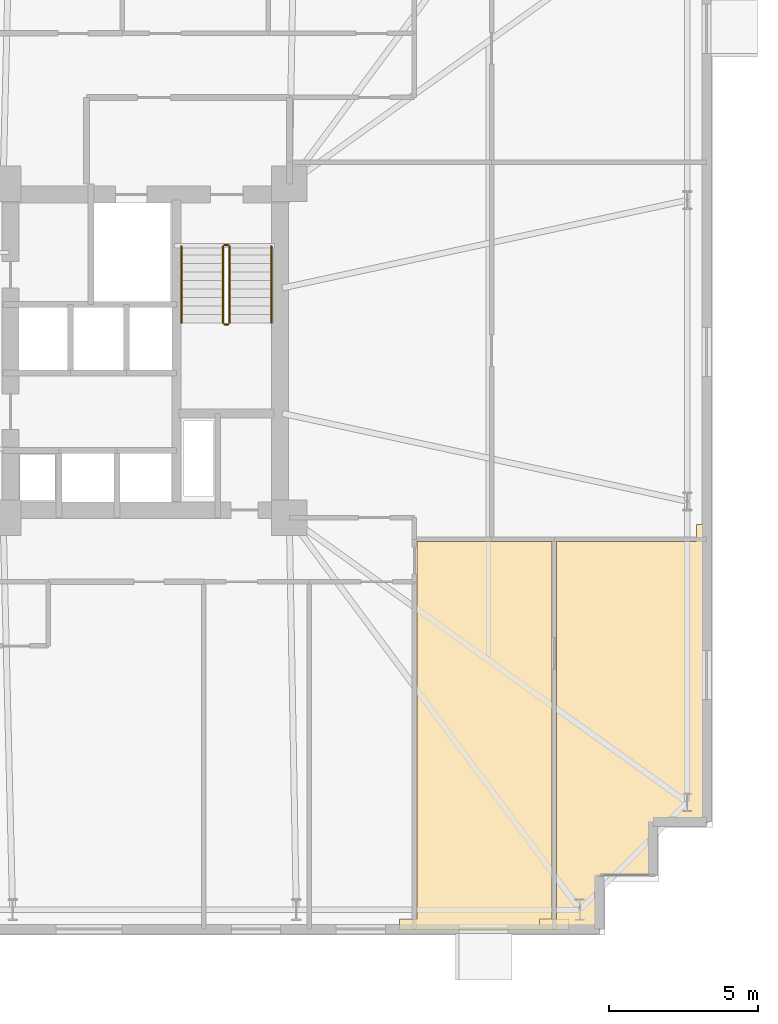
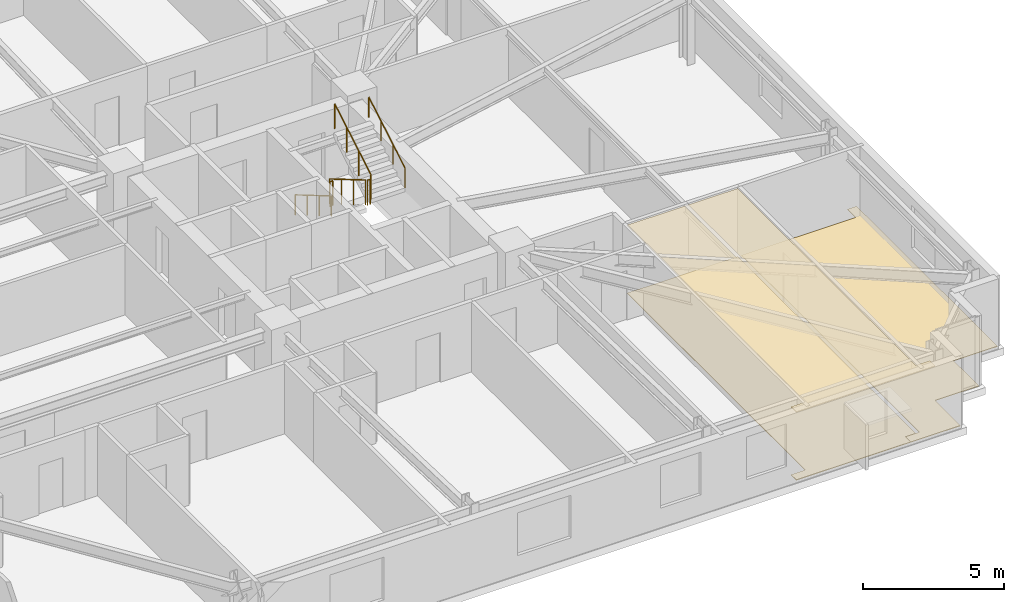
# One storey, part 21 of 21: 6 railings, 3 coverings.
"""IFC4 building model written with IfcOpenShell, lengths in metres."""

import ifcopenshell
import ifcopenshell.guid

model = None  # the IFC model being written
_history = None  # IfcOwnerHistory: only IFC2X3 demands one
_inside = {}  # id of a spatial element -> (the spatial element, [elements in it])
_under = {}  # id of a project, library or spatial element -> (it, [spatial elements below it])
_declared = {}  # id of a project -> (the project, [libraries it declares])
_typed = {}  # id of a type object -> (the type object, [elements of that type])
_made_of = {}  # id of a material, layer set ... -> (it, [elements and type objects made of it])


def new_model(schema):
    """Start an empty IFC model of exactly this schema.

    Asked for "IFC4X3", IfcOpenShell would pick the latest addendum, in which some entities
    have other attributes; the version numbers below select the first issue.
    IFC2X3 requires an IfcOwnerHistory on every rooted entity: one is made here for all.
    """
    global model, _history
    if schema == "IFC4X3":
        model = ifcopenshell.file(schema_version=(4, 3, 0, 0))
    else:
        model = ifcopenshell.file(schema=schema)
    _inside.clear()
    _under.clear()
    _declared.clear()
    _typed.clear()
    _made_of.clear()
    _history = None
    if model.schema == "IFC2X3":
        org = make("IfcOrganization", Name="unknown")
        user = make(
            "IfcPersonAndOrganization",
            ThePerson=make("IfcPerson", FamilyName="unknown"),
            TheOrganization=org,
        )
        app = make(
            "IfcApplication",
            ApplicationDeveloper=org,
            Version="unknown",
            ApplicationFullName="unknown",
            ApplicationIdentifier="unknown",
        )
        _history = make(
            "IfcOwnerHistory",
            OwningUser=user,
            OwningApplication=app,
            ChangeAction="ADDED",
            CreationDate=0,
        )
    return model


def make(cls, **values):
    """One entity of the class cls with the attributes given. An attribute that is None is left unset."""
    return model.create_entity(
        cls, **{name: value for name, value in values.items() if value is not None}
    )


def rooted(cls, **values):
    """An entity with a GlobalId (a new one), such as an element, a storey or a relation."""
    return make(cls, GlobalId=ifcopenshell.guid.new(), OwnerHistory=_history, **values)


def si_unit(unit_type, name, prefix=None):
    """IfcSIUnit, for example si_unit("LENGTHUNIT", "METRE", prefix="MILLI")."""
    return make("IfcSIUnit", UnitType=unit_type, Prefix=prefix, Name=name)


def assignment(units):
    """IfcUnitAssignment: the units of a project."""
    return None if units is None else make("IfcUnitAssignment", Units=units)


def point(xyz):
    """IfcCartesianPoint."""
    return None if xyz is None else make("IfcCartesianPoint", Coordinates=xyz)


def direction(xyz):
    """IfcDirection."""
    return None if xyz is None else make("IfcDirection", DirectionRatios=xyz)


def frame(location, z_axis=None, x_axis=None):
    """IfcAxis2Placement3D, a coordinate frame: its origin and axes. An axis left out is left unset."""
    return make(
        "IfcAxis2Placement3D",
        Location=point(location),
        Axis=direction(z_axis),
        RefDirection=direction(x_axis),
    )


def frame_2d(location, x_axis=None):
    """IfcAxis2Placement2D, a coordinate frame in the plane: its origin and x axis."""
    return make(
        "IfcAxis2Placement2D", Location=point(location), RefDirection=direction(x_axis)
    )


def origin():
    """The frame at (0, 0, 0) with its axes left unset."""
    return frame((0.0, 0.0, 0.0))


def origin_2d():
    """The frame at (0, 0) in the plane with its x axis left unset."""
    return frame_2d((0.0, 0.0))


def place(relative_to, where):
    """IfcLocalPlacement: puts the frame where relative to a parent placement (None: the world)."""
    return make(
        "IfcLocalPlacement", PlacementRelTo=relative_to, RelativePlacement=where
    )


def context(
    kind, dimensions, precision=None, world=None, true_north=None, identifier=None
):
    """IfcGeometricRepresentationContext, for example the 3D "Model" context."""
    return make(
        "IfcGeometricRepresentationContext",
        ContextIdentifier=identifier,
        ContextType=kind,
        CoordinateSpaceDimension=dimensions,
        Precision=precision,
        WorldCoordinateSystem=world,
        TrueNorth=true_north,
    )


def subcontext(parent, identifier, kind, view, scale=None):
    """IfcGeometricRepresentationSubContext, for example "Body" below "Model"."""
    return make(
        "IfcGeometricRepresentationSubContext",
        ContextIdentifier=identifier,
        ContextType=kind,
        ParentContext=parent,
        TargetScale=scale,
        TargetView=view,
    )


def project(units=None, contexts=None):
    """IfcProject with its units and contexts."""
    return rooted(
        "IfcProject",
        Name="project",
        RepresentationContexts=contexts,
        UnitsInContext=assignment(units),
    )


def spatial(cls, under=None, at=None, **own):
    """A site, building, storey or space (cls), placed at a placement, below another one or the project."""
    s = rooted(cls, ObjectPlacement=at, **own)
    if under is not None:
        _under.setdefault(under.id(), (under, []))[1].append(s)
    return s


def polyline(points):
    """IfcPolyline through the points."""
    return make("IfcPolyline", Points=[point(p) for p in points])


def profile(cls, at=None, kind="AREA", **sizes):
    """A parametric profile (cls). Its sizes go by their IFC names, for example OverallWidth=200.0."""
    return make(cls, ProfileType=kind, Position=at, **sizes)


def circle(**sizes):
    """IfcCircleProfileDef."""
    return profile("IfcCircleProfileDef", **sizes)


def outline(outer, holes=None, kind="AREA"):
    """IfcArbitraryClosedProfileDef: a profile drawn as a closed curve; with holes, ...WithVoids."""
    if holes is None:
        return make("IfcArbitraryClosedProfileDef", ProfileType=kind, OuterCurve=outer)
    return make(
        "IfcArbitraryProfileDefWithVoids",
        ProfileType=kind,
        OuterCurve=outer,
        InnerCurves=holes,
    )


def extrude(swept, where, along, depth):
    """IfcExtrudedAreaSolid: the profile swept, set in the frame where, extruded along a direction by depth."""
    return make(
        "IfcExtrudedAreaSolid",
        SweptArea=swept,
        Position=where,
        ExtrudedDirection=direction(along),
        Depth=depth,
    )


def shape(context_of_items, identifier, shape_type, items):
    """IfcShapeRepresentation: the items that make up one representation, for example the "Body"."""
    return make(
        "IfcShapeRepresentation",
        ContextOfItems=context_of_items,
        RepresentationIdentifier=identifier,
        RepresentationType=shape_type,
        Items=items,
    )


def material(Name=None, Category=None):
    """IfcMaterial."""
    return make("IfcMaterial", Name=Name, Category=Category)


def layer(
    of_material, thickness, ventilated=None, Name=None, Category=None, Priority=None
):
    """IfcMaterialLayer: one layer of a wall or slab, of a material (None: an air gap)."""
    return make(
        "IfcMaterialLayer",
        Material=of_material,
        LayerThickness=thickness,
        IsVentilated=ventilated,
        Name=Name,
        Category=Category,
        Priority=Priority,
    )


def layer_set(layers, Name=None):
    """IfcMaterialLayerSet."""
    return make("IfcMaterialLayerSet", MaterialLayers=layers, LayerSetName=Name)


def made_of(thing, what):
    """Note that an element or type object is made of a material, layer set ...; save() writes the relation."""
    if what is not None:
        _made_of.setdefault(what.id(), (what, []))[1].append(thing)
    return thing


def type_object(cls, material=None, **own):
    """A type object (cls), such as IfcWallType, which elements share."""
    return made_of(rooted(cls, **own), material)


def element(
    cls,
    number,
    at=None,
    inside=None,
    cuts=None,
    type_object=None,
    material=None,
    context=None,
    identifier="Body",
    shape_type=None,
    held_by="IfcProductDefinitionShape",
    body=None,
    shapes=None,
    **own,
):
    """One element of the class cls, such as IfcWall. Its Tag is "e" and its number.

    at: its placement. inside: the storey or other place that contains it. cuts: it is an
    opening in that element (IfcRelVoidsElement). A single representation is given by context,
    identifier, shape_type and body (its items); several are given by shapes. held_by: the class
    of the entity that holds the representations. save() writes the other relations.
    """
    e = rooted(cls, Tag="e%d" % number, ObjectPlacement=at, **own)
    if body is not None:
        shapes = [shape(context, identifier, shape_type, body)]
    if shapes is not None:
        e.Representation = make(held_by, Representations=shapes)
    if inside is not None:
        _inside.setdefault(inside.id(), (inside, []))[1].append(e)
    if cuts is not None:
        rooted(
            "IfcRelVoidsElement", RelatingBuildingElement=cuts, RelatedOpeningElement=e
        )
    if type_object is not None:
        _typed.setdefault(type_object.id(), (type_object, []))[1].append(e)
    return made_of(e, material)


def aggregate(whole, parts):
    """IfcRelAggregates: a whole, such as a stair, and the parts it consists of."""
    return rooted("IfcRelAggregates", RelatingObject=whole, RelatedObjects=parts)


def save(model, path):
    """Write the relations noted so far, then the file.

    IfcRelAggregates (storeys below a building ...), IfcRelContainedInSpatialStructure (elements
    in a storey), IfcRelDefinesByType, IfcRelAssociatesMaterial and IfcRelDeclares: one each for
    every whole, place, type object, material and project.
    """
    for whole, parts in _under.values():
        aggregate(whole, parts)
    for where, things in _inside.values():
        rooted(
            "IfcRelContainedInSpatialStructure",
            RelatedElements=things,
            RelatingStructure=where,
        )
    for kind, things in _typed.values():
        rooted("IfcRelDefinesByType", RelatedObjects=things, RelatingType=kind)
    for what, things in _made_of.values():
        rooted("IfcRelAssociatesMaterial", RelatedObjects=things, RelatingMaterial=what)
    for by, libraries in _declared.values():
        rooted("IfcRelDeclares", RelatingContext=by, RelatedDefinitions=libraries)
    model.write(path)


model = new_model("IFC4")

# Units and contexts
model_context = context("Model", 3, precision=1e-05, world=origin(), true_north=direction((0.0, 1.0)))
body_context = subcontext(model_context, "Body", "Model", "MODEL_VIEW")
ifc_project = project(units=[si_unit("LENGTHUNIT", "METRE"), si_unit("AREAUNIT", "SQUARE_METRE"), si_unit("VOLUMEUNIT", "CUBIC_METRE"), si_unit("PLANEANGLEUNIT", "RADIAN"), si_unit("MASSUNIT", "GRAM", prefix="KILO")], contexts=[model_context])

# Site, building, storey
site_placement = place(None, origin())
site = spatial("IfcSite", under=ifc_project, at=site_placement, CompositionType="ELEMENT")
building_placement = place(site_placement, origin())
building = spatial("IfcBuilding", under=site, at=building_placement, Name="Qobustan Lattice House", CompositionType="ELEMENT")
storey_placement = place(building_placement, frame((0.0, 0.0, 40.39990234375)))
storey = spatial("IfcBuildingStorey", under=building, at=storey_placement, Name="L10", CompositionType="ELEMENT", Elevation=40.39990234375)

# Coverings
ifc_material_1 = material(Name="Perforated gypsum acoustic ceiling", Category="gypsum")
ifc_layer_1 = layer(ifc_material_1, 0.030029296875)
ifc_layer_set_1 = layer_set([ifc_layer_1], Name="Perforated gypsum acoustic ceiling")
covering_type_1 = type_object("IfcCoveringType", Name="COV-ACOUSTIC-CEIL", PredefinedType="CEILING", material=ifc_layer_set_1)
covering_1_placement = place(storey_placement, frame((0.0, 0.0, 2.945068359375)))
element("IfcCovering", 1, at=covering_1_placement, inside=storey, type_object=covering_type_1, Name="L10 Focus study room E1A acoustic ceiling", PredefinedType="CEILING", context=body_context, shape_type="SweptSolid", body=[
    extrude(outline(polyline([(28.18994140625, -19.06005859375), (27.610107421875, -19.06005859375), (27.610107421875, -6.406982421875), (23.080078125, -6.406982421875), (23.080078125, -19.06005859375), (22.5, -19.06005859375), (22.5, -19.429931640625), (28.18994140625, -19.429931640625), (28.18994140625, -19.06005859375)])), origin(), (0.0, 0.0, 1.0), 0.030029296875),
])
ifc_material_2 = material(Name="Honed Absheron stone terrazzo flooring", Category="masonry")
ifc_layer_2 = layer(ifc_material_2, 0.02490234375)
ifc_layer_set_2 = layer_set([ifc_layer_2], Name="Honed Absheron stone terrazzo flooring")
covering_type_2 = type_object("IfcCoveringType", Name="COV-TERRAZZO-FLR", PredefinedType="FLOORING", material=ifc_layer_set_2)
covering_2_placement = place(storey_placement, origin())
element("IfcCovering", 2, at=covering_2_placement, inside=storey, type_object=covering_type_2, Name="L10 Focus study room E1A stone terrazzo flooring", PredefinedType="FLOORING", context=body_context, shape_type="SweptSolid", body=[
    extrude(outline(polyline([(28.18994140625, -19.06005859375), (27.610107421875, -19.06005859375), (27.610107421875, -6.406982421875), (23.080078125, -6.406982421875), (23.080078125, -19.06005859375), (22.5, -19.06005859375), (22.5, -19.429931640625), (28.18994140625, -19.429931640625), (28.18994140625, -19.06005859375)])), origin(), (0.0, 0.0, 1.0), 0.025146484375),
])
covering_3_placement = place(storey_placement, origin())
element("IfcCovering", 3, at=covering_3_placement, inside=storey, type_object=covering_type_2, Name="L10 Focus study room E1B stone terrazzo flooring", PredefinedType="FLOORING", context=body_context, shape_type="SweptSolid", body=[
    extrude(outline(polyline([(32.830078125, -15.830078125), (32.830078125, -5.826904296875), (32.4599609375, -5.826904296875), (32.4599609375, -6.406982421875), (27.77001953125, -6.406982421875), (27.77001953125, -19.06005859375), (27.18994140625, -19.06005859375), (27.18994140625, -19.429931640625), (29.22998046875, -19.429931640625), (29.22998046875, -17.6298828125), (31.030029296875, -17.6298828125), (31.030029296875, -15.830078125), (32.830078125, -15.830078125)])), origin(), (0.0, 0.0, 1.0), 0.025146484375),
])

# Railings
ifc_material_3 = material(Name="Brushed stainless steel handrail", Category="steel")
railing_type_1 = type_object("IfcRailingType", Name="RAL-HR-920", PredefinedType="HANDRAIL", material=ifc_material_3)
railing_1_placement = place(storey_placement, frame((15.179931640625, 3.5, 0.16748046875)))
element("IfcRailing", 4, at=railing_1_placement, inside=storey, type_object=railing_type_1, Name="L10 ST-E1 stair handrail 1", PredefinedType="HANDRAIL", context=body_context, shape_type="SweptSolid", body=[
    extrude(circle(Radius=0.02392578125, at=origin_2d()), frame((0.0, 0.0, 0.8759765625), z_axis=(0.0, -0.862113467892, 0.50671527358), x_axis=(1.0, 0.0, 0.0)), (0.0, 0.0, 1.0), 2.97509765625),
    extrude(circle(Radius=0.02099609375, at=origin_2d()), origin(), (0.0, 0.0, 1.0), 0.851806640625),
    extrude(circle(Radius=0.02099609375, at=origin_2d()), frame((0.0, -0.85498046875, 0.50244140625)), (0.0, 0.0, 1.0), 0.851806640625),
    extrude(circle(Radius=0.02099609375, at=origin_2d()), frame((0.0, -1.7099609375, 1.005126953125)), (0.0, 0.0, 1.0), 0.851806640625),
    extrude(circle(Radius=0.02099609375, at=origin_2d()), frame((0.0, -2.56494140625, 1.507568359375)), (0.0, 0.0, 1.0), 0.851806640625),
])
railing_2_placement = place(storey_placement, frame((18.199951171875, 0.93505859375, 1.842529296875)))
element("IfcRailing", 5, at=railing_2_placement, inside=storey, type_object=railing_type_1, Name="L10 ST-E1 stair handrail 2", PredefinedType="HANDRAIL", context=body_context, shape_type="SweptSolid", body=[
    extrude(circle(Radius=0.02392578125, at=origin_2d()), frame((0.0, 0.0, 0.8759765625), z_axis=(0.0, 0.862113467892, 0.50671527358), x_axis=(-1.0, 0.0, 0.0)), (0.0, 0.0, 1.0), 2.97509765625),
    extrude(circle(Radius=0.02099609375, at=origin_2d()), origin(), (0.0, 0.0, 1.0), 0.851806640625),
    extrude(circle(Radius=0.02099609375, at=origin_2d()), frame((0.0, 0.85498046875, 0.50244140625)), (0.0, 0.0, 1.0), 0.851806640625),
    extrude(circle(Radius=0.02099609375, at=origin_2d()), frame((0.0, 1.7099609375, 1.005126953125)), (0.0, 0.0, 1.0), 0.851806640625),
    extrude(circle(Radius=0.02099609375, at=origin_2d()), frame((0.0, 2.56494140625, 1.507568359375)), (0.0, 0.0, 1.0), 0.851806640625),
])
ifc_material_4 = material(Name="Painted galvanized steel guardrail", Category="steel")
railing_type_2 = type_object("IfcRailingType", Name="RAL-STG-1150", PredefinedType="GUARDRAIL", material=ifc_material_4)
railing_3_placement = place(storey_placement, frame((16.580078125, 3.5, 0.16748046875)))
element("IfcRailing", 6, at=railing_3_placement, inside=storey, type_object=railing_type_2, Name="L10 ST-E1 stair guard 1", PredefinedType="GUARDRAIL", context=body_context, shape_type="SweptSolid", body=[
    extrude(circle(Radius=0.02392578125, at=origin_2d()), frame((0.0, 0.0, 1.076171875), z_axis=(0.0, -0.862113467892, 0.50671527358), x_axis=(1.0, 0.0, 0.0)), (0.0, 0.0, 1.0), 2.97509765625),
    extrude(circle(Radius=0.02099609375, at=origin_2d()), origin(), (0.0, 0.0, 1.0), 1.052001953125),
    extrude(circle(Radius=0.02099609375, at=origin_2d()), frame((0.0, -0.85498046875, 0.50244140625)), (0.0, 0.0, 1.0), 1.052001953125),
    extrude(circle(Radius=0.02099609375, at=origin_2d()), frame((0.0, -1.7099609375, 1.005126953125)), (0.0, 0.0, 1.0), 1.052001953125),
    extrude(circle(Radius=0.02099609375, at=origin_2d()), frame((0.0, -2.56494140625, 1.507568359375)), (0.0, 0.0, 1.0), 1.052001953125),
])
railing_4_placement = place(storey_placement, frame((16.6298828125, 0.885009765625, 1.675048828125)))
element("IfcRailing", 7, at=railing_4_placement, inside=storey, type_object=railing_type_2, Name="L10 ST-E1 stair guard 2", PredefinedType="GUARDRAIL", context=body_context, shape_type="SweptSolid", body=[
    extrude(circle(Radius=0.02392578125, at=origin_2d()), frame((0.0, 0.0, 1.076171875), z_axis=(1.0, 0.0, 0.0), x_axis=(0.0, 1.0, 0.0)), (0.0, 0.0, 1.0), 0.1201171875),
    extrude(circle(Radius=0.02099609375, at=origin_2d()), origin(), (0.0, 0.0, 1.0), 1.052001953125),
    extrude(circle(Radius=0.02099609375, at=origin_2d()), frame((0.1201171875, 0.0, 0.0)), (0.0, 0.0, 1.0), 1.052001953125),
])
railing_5_placement = place(storey_placement, frame((16.800048828125, 0.93505859375, 1.842529296875)))
element("IfcRailing", 8, at=railing_5_placement, inside=storey, type_object=railing_type_2, Name="L10 ST-E1 stair guard 3", PredefinedType="GUARDRAIL", context=body_context, shape_type="SweptSolid", body=[
    extrude(circle(Radius=0.02392578125, at=origin_2d()), frame((0.0, 0.0, 1.076171875), z_axis=(0.0, 0.862113467892, 0.50671527358), x_axis=(-1.0, 0.0, 0.0)), (0.0, 0.0, 1.0), 2.97509765625),
    extrude(circle(Radius=0.02099609375, at=origin_2d()), origin(), (0.0, 0.0, 1.0), 1.052001953125),
    extrude(circle(Radius=0.02099609375, at=origin_2d()), frame((0.0, 0.85498046875, 0.50244140625)), (0.0, 0.0, 1.0), 1.052001953125),
    extrude(circle(Radius=0.02099609375, at=origin_2d()), frame((0.0, 1.7099609375, 1.005126953125)), (0.0, 0.0, 1.0), 1.052001953125),
    extrude(circle(Radius=0.02099609375, at=origin_2d()), frame((0.0, 2.56494140625, 1.507568359375)), (0.0, 0.0, 1.0), 1.052001953125),
])
railing_6_placement = place(storey_placement, frame((16.6298828125, 3.550048828125, 0.0)))
element("IfcRailing", 9, at=railing_6_placement, inside=storey, type_object=railing_type_2, Name="L10 ST-E1 stair guard 4", PredefinedType="GUARDRAIL", context=body_context, shape_type="SweptSolid", body=[
    extrude(circle(Radius=0.02392578125, at=origin_2d()), frame((0.0, 0.0, 1.076171875), z_axis=(1.0, 0.0, 0.0), x_axis=(0.0, 1.0, 0.0)), (0.0, 0.0, 1.0), 0.1201171875),
    extrude(circle(Radius=0.02099609375, at=origin_2d()), origin(), (0.0, 0.0, 1.0), 1.052001953125),
    extrude(circle(Radius=0.02099609375, at=origin_2d()), frame((0.1201171875, 0.0, 0.0)), (0.0, 0.0, 1.0), 1.052001953125),
])

save(model, "model.ifc")
